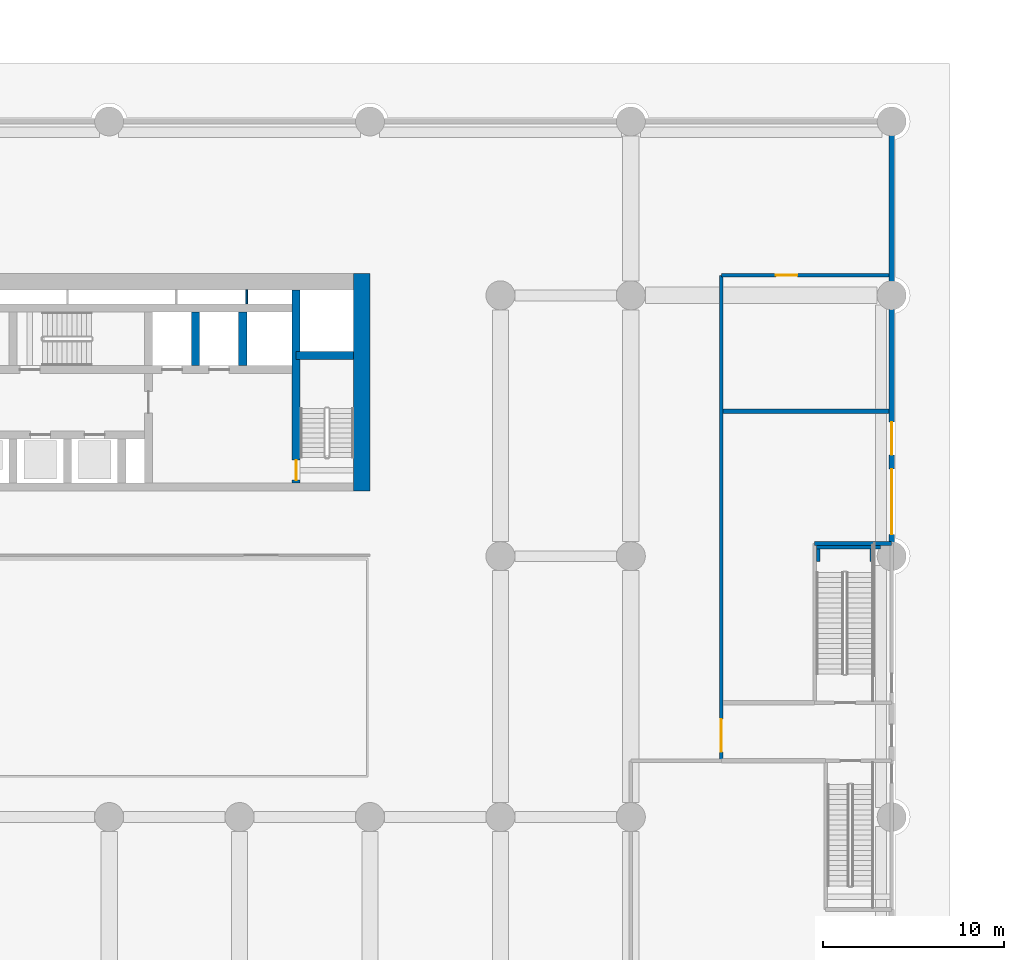
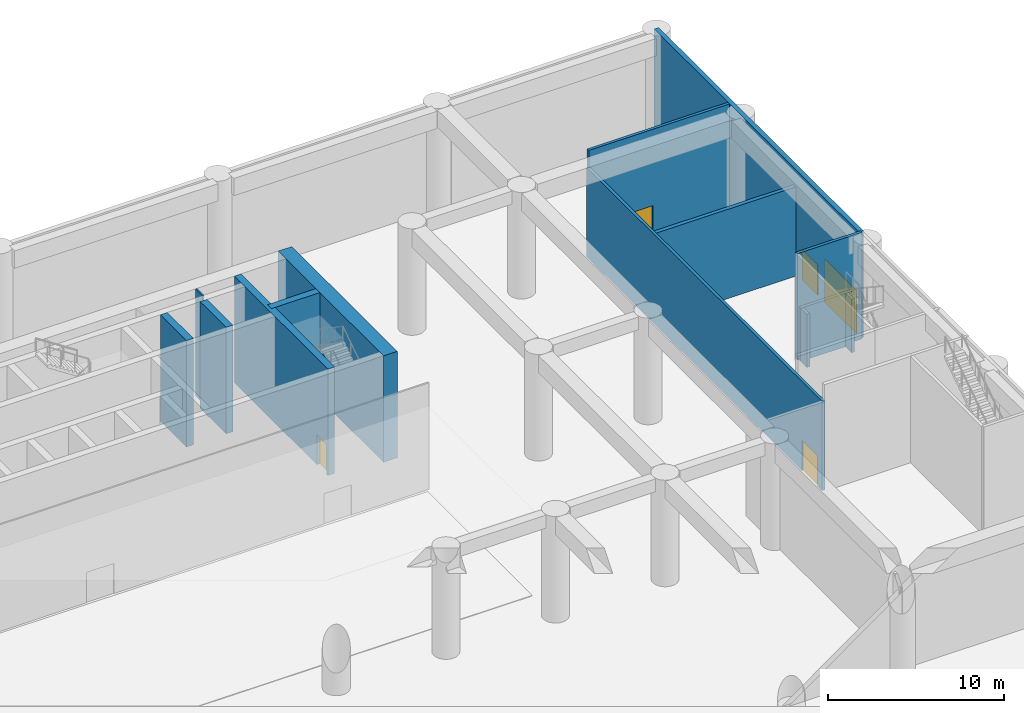
# One storey, part 20 of 32: 14 walls, 5 doors, 5 openings.
"""IFC4 building model written with IfcOpenShell, lengths in metres."""

from ifc_helpers import new_model, si_unit, direction, frame, frame_2d, origin, place, context, subcontext, project, spatial, rectangle, extrude, material, layer, layer_set, type_object, element, fill, save


model = new_model("IFC4")

# Units and contexts
model_context = context("Model", 3, precision=1e-05, world=origin(), true_north=direction((0.0, 1.0)))
body_context = subcontext(model_context, "Body", "Model", "MODEL_VIEW")
ifc_project = project(units=[si_unit("LENGTHUNIT", "METRE"), si_unit("AREAUNIT", "SQUARE_METRE"), si_unit("VOLUMEUNIT", "CUBIC_METRE"), si_unit("PLANEANGLEUNIT", "RADIAN"), si_unit("MASSUNIT", "GRAM", prefix="KILO")], contexts=[model_context])

# Site, building, storey
site_placement = place(None, origin())
site = spatial("IfcSite", under=ifc_project, at=site_placement, CompositionType="ELEMENT")
building_placement = place(site_placement, origin())
building = spatial("IfcBuilding", under=site, at=building_placement, Name="Saffron Iwan Residences", CompositionType="ELEMENT")
storey_placement = place(building_placement, origin())
storey = spatial("IfcBuildingStorey", under=building, at=storey_placement, Name="L00", CompositionType="ELEMENT", Elevation=0.0)

# Wall, opening, door
ifc_material_1 = material(Name="Concrete blockwork", Category="masonry")
ifc_layer_1 = layer(ifc_material_1, 0.18994140625)
ifc_layer_set_1 = layer_set([ifc_layer_1], Name="Concrete blockwork")
wall_type_1 = type_object("IfcWallType", Name="Car park blockwork wall 190", PredefinedType="PARTITIONING", material=ifc_layer_set_1)
wall_1_placement = place(storey_placement, frame((91.39990234375, 77.89990234375, 0.0), z_axis=(0.0, 0.0, 1.0), x_axis=(1.0, 0.0, 0.0)))
wall_1 = element("IfcWall", 1, at=wall_1_placement, inside=storey, type_object=wall_type_1, Name="W-L00-042", PredefinedType="PARTITIONING", context=body_context, shape_type="SweptSolid", body=[
    extrude(rectangle(XDim=9.25, YDim=0.18994140625, at=frame_2d((4.625, 0.0))), origin(), (0.0, 0.0, 1.0), 7.39990234375),
])
opening_1_placement = place(wall_1_placement, frame((3.0, 0.0, 0.0)))
opening_1 = element("IfcOpeningElement", 2, at=opening_1_placement, cuts=wall_1, Name="Opening L00.25", PredefinedType="OPENING", context=body_context, shape_type="SweptSolid", body=[
    extrude(rectangle(XDim=1.199951171875, YDim=2.10009765625, at=frame_2d((0.60009765625, 1.050048828125))), frame((0.0, 0.10498046875, 0.0), z_axis=(0.0, -1.0, 0.0), x_axis=(1.0, 0.0, 0.0)), (0.0, 0.0, 1.0), 0.2099609375),
])
ifc_material_2 = material(Name="Timber", Category="wood")
door_type_1 = type_object("IfcDoorType", Name="Door 1200x2100", OperationType="NOTDEFINED", PredefinedType="DOOR", material=ifc_material_2)
door_1_placement = place(opening_1_placement, origin())
door_1 = element("IfcDoor", 3, at=door_1_placement, inside=storey, type_object=door_type_1, Name="D-L00-025", OperationType="SINGLE_SWING_LEFT", OverallHeight=2.10009765625, OverallWidth=1.199951171875, PredefinedType="DOOR", context=body_context, shape_type="SweptSolid", body=[
    extrude(rectangle(XDim=1.199951171875, YDim=2.10009765625, at=frame_2d((0.60009765625, 1.050048828125))), frame((0.0, 0.02490234375, 0.0), z_axis=(0.0, -1.0, 0.0), x_axis=(1.0, 0.0, 0.0)), (0.0, 0.0, 1.0), 0.050048828125),
])
fill(opening_1, door_1)

wall_2_placement = place(storey_placement, frame((91.39990234375, 51.10009765625, 0.0), z_axis=(0.0, 0.0, 1.0), x_axis=(0.0, 1.0, 0.0)))
wall_2 = element("IfcWall", 4, at=wall_2_placement, inside=storey, type_object=wall_type_1, Name="W-L00-076", PredefinedType="PARTITIONING", context=body_context, shape_type="SweptSolid", body=[
    extrude(rectangle(XDim=26.7998046875, YDim=0.18994140625, at=frame_2d((13.39990234375, 0.0))), origin(), (0.0, 0.0, 1.0), 6.199951171875),
])
opening_2_placement = place(wall_2_placement, frame((0.5, 0.0, 0.0)))
opening_2 = element("IfcOpeningElement", 5, at=opening_2_placement, cuts=wall_2, Name="Opening L00.32", PredefinedType="OPENING", context=body_context, shape_type="SweptSolid", body=[
    extrude(rectangle(XDim=1.800048828125, YDim=2.10009765625, at=frame_2d((0.89990234375, 1.050048828125))), frame((0.0, 0.10498046875, 0.0), z_axis=(0.0, -1.0, 0.0), x_axis=(1.0, 0.0, 0.0)), (0.0, 0.0, 1.0), 0.2099609375),
])
door_type_2 = type_object("IfcDoorType", Name="Door 1800x2100", OperationType="DOUBLE_DOOR_SINGLE_SWING", PredefinedType="DOOR", material=ifc_material_2)
door_2_placement = place(opening_2_placement, origin())
door_2 = element("IfcDoor", 6, at=door_2_placement, inside=storey, type_object=door_type_2, Name="D-L00-032", OperationType="DOUBLE_DOOR_SINGLE_SWING", OverallHeight=2.10009765625, OverallWidth=1.800048828125, PredefinedType="DOOR", context=body_context, shape_type="SweptSolid", body=[
    extrude(rectangle(XDim=1.800048828125, YDim=2.10009765625, at=frame_2d((0.89990234375, 1.050048828125))), frame((0.0, 0.02490234375, 0.0), z_axis=(0.0, -1.0, 0.0), x_axis=(1.0, 0.0, 0.0)), (0.0, 0.0, 1.0), 0.050048828125),
])
fill(opening_2, door_2)

# Walls
ifc_material_3 = material(Name="Concrete C40/50", Category="concrete")
ifc_layer_2 = layer(ifc_material_3, 0.25)
ifc_layer_set_2 = layer_set([ifc_layer_2], Name="Concrete C40/50")
wall_type_2 = type_object("IfcWallType", Name="Fire compartment wall 250", PredefinedType="SOLIDWALL", material=ifc_layer_set_2)
wall_3_placement = place(storey_placement, frame((91.4951171875, 70.39990234375, 0.0), z_axis=(0.0, 0.0, 1.0), x_axis=(1.0, 0.0, 0.0)))
element("IfcWall", 7, at=wall_3_placement, inside=storey, type_object=wall_type_2, Name="W-L00-041", PredefinedType="SOLIDWALL", context=body_context, shape_type="SweptSolid", body=[
    extrude(rectangle(XDim=9.15478515625, YDim=0.25, at=frame_2d((4.577392578125, 0.0))), origin(), (0.0, 0.0, 1.0), 6.199951171875),
])
ifc_layer_3 = layer(ifc_material_3, 0.199951171875)
ifc_layer_set_3 = layer_set([ifc_layer_3], Name="Concrete C40/50")
wall_type_3 = type_object("IfcWallType", Name="Landing support wall, reinforced concrete 200", PredefinedType="SOLIDWALL", material=ifc_layer_set_3)
for number, where, z_axis, x_axis, name in (
    (8, (96.75, 62.10009765625, 0.0), (0.0, 0.0, 1.0), (0.0, 1.0, 0.0), "PS4 landing support wall"),
    (9, (99.699951171875, 62.10009765625, 0.0), (0.0, 0.0, 1.0), (0.0, 1.0, 0.0), "PS4 landing support wall"),
):
    element("IfcWall", number, at=place(storey_placement, frame(where, z_axis=z_axis, x_axis=x_axis)), inside=storey, type_object=wall_type_3, Name=name, PredefinedType="SOLIDWALL", context=body_context, shape_type="SweptSolid", body=[
        extrude(rectangle(XDim=0.699951171875, YDim=0.199951171875, at=frame_2d((0.35009765625, 0.0))), origin(), (0.0, 0.0, 1.0), 3.699951171875),
    ])
wall_4_placement = place(storey_placement, frame((96.64990234375, 62.89990234375, 0.0), z_axis=(0.0, 0.0, 1.0), x_axis=(1.0, 0.0, 0.0)))
element("IfcWall", 10, at=wall_4_placement, inside=storey, type_object=wall_type_3, Name="PS4 landing support wall", PredefinedType="SOLIDWALL", context=body_context, shape_type="SweptSolid", body=[
    extrude(rectangle(XDim=3.526123046875, YDim=0.199951171875, at=frame_2d((1.76318359375, 0.0))), origin(), (0.0, 0.0, 1.0), 3.699951171875),
])

# Wall, openings, doors
ifc_material_4 = material(Name="Precast concrete C40/50", Category="concrete")
ifc_layer_4 = layer(ifc_material_4, 0.300048828125)
ifc_layer_set_4 = layer_set([ifc_layer_4], Name="Precast concrete C40/50")
wall_type_4 = type_object("IfcWallType", Name="Podium external wall 300", PredefinedType="SOLIDWALL", material=ifc_layer_set_4)
wall_5_placement = place(storey_placement, frame((100.800048828125, 86.39990234375, 0.0), z_axis=(0.0, 0.0, 1.0), x_axis=(0.0, -1.0, 0.0)))
wall_5 = element("IfcWall", 11, at=wall_5_placement, inside=storey, type_object=wall_type_4, Name="W-L00-082", PredefinedType="SOLIDWALL", context=body_context, shape_type="SweptSolid", body=[
    extrude(rectangle(XDim=23.2998046875, YDim=0.300048828125, at=frame_2d((11.64990234375, 0.0))), origin(), (0.0, 0.0, 1.0), 7.39990234375),
])
opening_3_placement = place(wall_5_placement, frame((19.199951171875, 0.0, 0.0)))
opening_3 = element("IfcOpeningElement", 12, at=opening_3_placement, cuts=wall_5, Name="Opening L00.62", PredefinedType="OPENING", context=body_context, shape_type="SweptSolid", body=[
    extrude(rectangle(XDim=3.60009765625, YDim=3.0, at=frame_2d((1.800048828125, 1.5))), frame((0.0, 0.16015625, 0.0), z_axis=(0.0, -1.0, 0.0), x_axis=(1.0, 0.0, 0.0)), (0.0, 0.0, 1.0), 0.320068359375),
])
opening_4_placement = place(wall_5_placement, frame((16.60009765625, 0.0, 0.0)))
opening_4 = element("IfcOpeningElement", 13, at=opening_4_placement, cuts=wall_5, Name="Opening L00.63", PredefinedType="OPENING", context=body_context, shape_type="SweptSolid", body=[
    extrude(rectangle(XDim=1.800048828125, YDim=2.10009765625, at=frame_2d((0.89990234375, 1.050048828125))), frame((0.0, 0.16015625, 0.0), z_axis=(0.0, -1.0, 0.0), x_axis=(1.0, 0.0, 0.0)), (0.0, 0.0, 1.0), 0.320068359375),
])
ifc_material_5 = material(Name="Glass", Category="glass")
door_type_3 = type_object("IfcDoorType", Name="Glazed entrance door 1800", OperationType="DOUBLE_DOOR_SINGLE_SWING", PredefinedType="DOOR", material=ifc_material_5)
door_3_placement = place(opening_4_placement, origin())
door_3 = element("IfcDoor", 14, at=door_3_placement, inside=storey, type_object=door_type_3, Name="D-L00-063", OperationType="DOUBLE_DOOR_SINGLE_SWING", OverallHeight=2.10009765625, OverallWidth=1.800048828125, PredefinedType="DOOR", context=body_context, shape_type="SweptSolid", body=[
    extrude(rectangle(XDim=1.800048828125, YDim=2.10009765625, at=frame_2d((0.89990234375, 1.050048828125))), frame((0.0, 0.02490234375, 0.0), z_axis=(0.0, -1.0, 0.0), x_axis=(1.0, 0.0, 0.0)), (0.0, 0.0, 1.0), 0.050048828125),
])
fill(opening_4, door_3)
ifc_material_6 = material(Name="Steel", Category="steel")
door_type_4 = type_object("IfcDoorType", Name="Roller shutter 3600x3000", OperationType="ROLLINGUP", PredefinedType="DOOR", material=ifc_material_6)
door_4_placement = place(opening_3_placement, origin())
door_4 = element("IfcDoor", 15, at=door_4_placement, inside=storey, type_object=door_type_4, Name="D-L00-062", OperationType="SINGLE_SWING_LEFT", OverallHeight=3.0, OverallWidth=3.60009765625, PredefinedType="DOOR", context=body_context, shape_type="SweptSolid", body=[
    extrude(rectangle(XDim=3.60009765625, YDim=3.0, at=frame_2d((1.800048828125, 1.5))), frame((0.0, 0.02490234375, 0.0), z_axis=(0.0, -1.0, 0.0), x_axis=(1.0, 0.0, 0.0)), (0.0, 0.0, 1.0), 0.050048828125),
])
fill(opening_3, door_4)

# Walls
ifc_layer_5 = layer(ifc_material_3, 0.199951171875)
ifc_layer_set_5 = layer_set([ifc_layer_5], Name="Concrete C40/50")
wall_type_5 = type_object("IfcWallType", Name="Reinforced concrete stair wall 200", PredefinedType="SOLIDWALL", material=ifc_layer_set_5)
wall_6_placement = place(storey_placement, frame((96.550048828125, 63.10009765625, 0.0), z_axis=(0.0, 0.0, 1.0), x_axis=(1.0, 0.0, 0.0)))
element("IfcWall", 16, at=wall_6_placement, inside=storey, type_object=wall_type_5, Name="W-L00-037", PredefinedType="SOLIDWALL", context=body_context, shape_type="SweptSolid", body=[
    extrude(rectangle(XDim=4.25, YDim=0.199951171875, at=frame_2d((2.125, 0.0))), origin(), (0.0, 0.0, 1.0), 7.39990234375),
])
ifc_material_7 = material(Name="Fire-rated plasterboard partition")
ifc_layer_6 = layer(ifc_material_7, 0.10009765625)
ifc_layer_set_6 = layer_set([ifc_layer_6], Name="Fire-rated plasterboard partition")
wall_type_6 = type_object("IfcWallType", Name="Riser partition 100", PredefinedType="PARTITIONING", material=ifc_layer_set_6)
wall_7_placement = place(storey_placement, frame((65.199951171875, 76.324951171875, 0.0), z_axis=(0.0, 0.0, 1.0), x_axis=(0.0, 1.0, 0.0)))
element("IfcWall", 17, at=wall_7_placement, inside=storey, type_object=wall_type_6, Name="Core partition P11", PredefinedType="PARTITIONING", context=body_context, shape_type="SweptSolid", body=[
    extrude(rectangle(XDim=0.775146484375, YDim=0.10009765625, at=frame_2d((0.3876953125, 0.0))), origin(), (0.0, 0.0, 1.0), 7.39990234375),
])
ifc_material_8 = material(Name="Concrete C60/75", Category="concrete")
ifc_layer_7 = layer(ifc_material_8, 0.449951171875)
ifc_layer_set_7 = layer_set([ifc_layer_7], Name="Concrete C60/75")
wall_type_7 = type_object("IfcWallType", Name="WALL CORE 450 C60/75 7400 HIGH", PredefinedType="SHEAR", material=ifc_layer_set_7)
wall_8_placement = place(storey_placement, frame((67.925048828125, 73.47509765625, 0.0), z_axis=(0.0, 0.0, 1.0), x_axis=(1.0, 0.0, 0.0)))
element("IfcWall", 18, at=wall_8_placement, inside=storey, type_object=wall_type_7, Name="Core wall", PredefinedType="SHEAR", context=body_context, shape_type="SweptSolid", body=[
    extrude(rectangle(XDim=3.175048828125, YDim=0.449951171875, at=frame_2d((1.58740234375, 0.0))), origin(), (0.0, 0.0, 1.0), 7.39990234375),
])

# Wall, opening, door
wall_9_placement = place(storey_placement, frame((67.925048828125, 66.449951171875, 0.0), z_axis=(0.0, 0.0, 1.0), x_axis=(0.0, 1.0, 0.0)))
wall_9 = element("IfcWall", 19, at=wall_9_placement, inside=storey, type_object=wall_type_7, Name="Core wall", PredefinedType="SHEAR", context=body_context, shape_type="SweptSolid", body=[
    extrude(rectangle(XDim=10.650146484375, YDim=0.449951171875, at=frame_2d((5.3251953125, 0.0))), origin(), (0.0, 0.0, 1.0), 7.39990234375),
])
opening_5_placement = place(wall_9_placement, frame((0.14990234375, 0.0, 0.0)))
opening_5 = element("IfcOpeningElement", 20, at=opening_5_placement, cuts=wall_9, Name="Opening SD", PredefinedType="OPENING", context=body_context, shape_type="SweptSolid", body=[
    extrude(rectangle(XDim=1.10009765625, YDim=2.10009765625, at=frame_2d((0.550048828125, 1.050048828125))), frame((0.0, 0.23486328125, 0.0), z_axis=(0.0, -1.0, 0.0), x_axis=(1.0, 0.0, 0.0)), (0.0, 0.0, 1.0), 0.469970703125),
])
ifc_material_9 = material(Name="Steel fire door", Category="steel")
door_type_5 = type_object("IfcDoorType", Name="Stair door 1100", OperationType="NOTDEFINED", PredefinedType="DOOR", material=ifc_material_9)
door_5_placement = place(opening_5_placement, origin())
door_5 = element("IfcDoor", 21, at=door_5_placement, inside=storey, type_object=door_type_5, Name="Stair door ST-E", OperationType="SINGLE_SWING_LEFT", OverallHeight=2.10009765625, OverallWidth=1.10009765625, PredefinedType="DOOR", context=body_context, shape_type="SweptSolid", body=[
    extrude(rectangle(XDim=1.10009765625, YDim=2.10009765625, at=frame_2d((0.550048828125, 1.050048828125))), frame((0.0, 0.02490234375, 0.0), z_axis=(0.0, -1.0, 0.0), x_axis=(1.0, 0.0, 0.0)), (0.0, 0.0, 1.0), 0.050048828125),
])
fill(opening_5, door_5)

# Walls
for number, where, z_axis, x_axis, name in (
    (22, (62.375, 72.925048828125, 0.0), (0.0, 0.0, 1.0), (0.0, 1.0, 0.0), "Core wall"),
    (23, (64.97509765625, 72.925048828125, 0.0), (0.0, 0.0, 1.0), (0.0, 1.0, 0.0), "Core wall"),
):
    element("IfcWall", number, at=place(storey_placement, frame(where, z_axis=z_axis, x_axis=x_axis)), inside=storey, type_object=wall_type_7, Name=name, PredefinedType="SHEAR", context=body_context, shape_type="SweptSolid", body=[
        extrude(rectangle(XDim=2.949951171875, YDim=0.449951171875, at=frame_2d((1.47509765625, 0.0))), origin(), (0.0, 0.0, 1.0), 7.39990234375),
    ])
ifc_layer_8 = layer(ifc_material_8, 0.89990234375)
ifc_layer_set_8 = layer_set([ifc_layer_8], Name="Concrete C60/75")
wall_type_8 = type_object("IfcWallType", Name="WALL CORE 900 C60/75 7400 HIGH", PredefinedType="SHEAR", material=ifc_layer_set_8)
wall_10_placement = place(storey_placement, frame((71.550048828125, 66.0, 0.0), z_axis=(0.0, 0.0, 1.0), x_axis=(0.0, 1.0, 0.0)))
element("IfcWall", 24, at=wall_10_placement, inside=storey, type_object=wall_type_8, Name="Core wall", PredefinedType="SHEAR", context=body_context, shape_type="SweptSolid", body=[
    extrude(rectangle(XDim=12.0, YDim=0.89990234375, at=frame_2d((6.0, 0.0))), origin(), (0.0, 0.0, 1.0), 7.39990234375),
])

save(model, "model.ifc")
